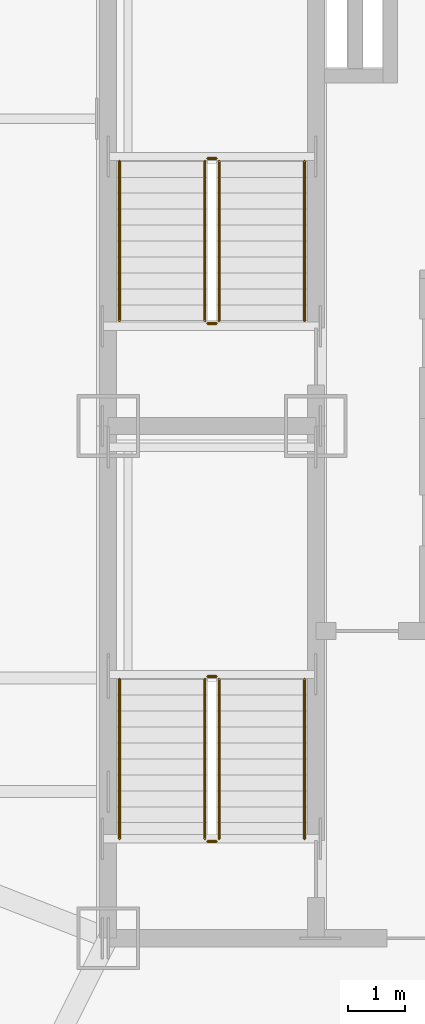
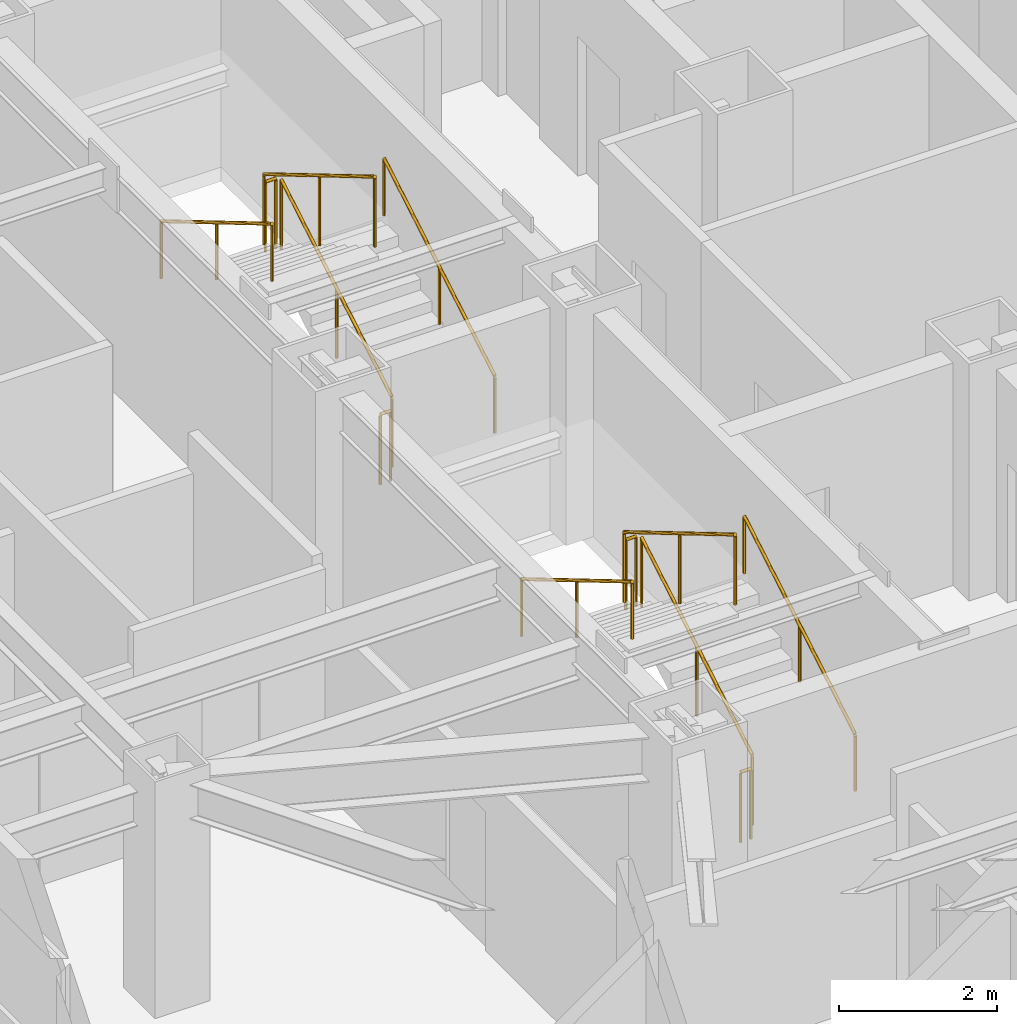
# One storey, part 9 of 9: 12 railings.
"""IFC4 building model written with IfcOpenShell, lengths in metres."""

from ifc_helpers import new_model, si_unit, direction, frame, origin, origin_2d, place, context, subcontext, project, spatial, circle, extrude, material, type_object, element, save


model = new_model("IFC4")

# Units and contexts
model_context = context("Model", 3, precision=1e-05, world=origin(), true_north=direction((0.0, 1.0)))
body_context = subcontext(model_context, "Body", "Model", "MODEL_VIEW")
ifc_project = project(units=[si_unit("LENGTHUNIT", "METRE"), si_unit("AREAUNIT", "SQUARE_METRE"), si_unit("VOLUMEUNIT", "CUBIC_METRE"), si_unit("PLANEANGLEUNIT", "RADIAN"), si_unit("MASSUNIT", "GRAM", prefix="KILO")], contexts=[model_context])

# Site, building, storey
site_placement = place(None, origin())
site = spatial("IfcSite", under=ifc_project, at=site_placement, CompositionType="ELEMENT")
building_placement = place(site_placement, origin())
building = spatial("IfcBuilding", under=site, at=building_placement, Name="Khamvora Tower", CompositionType="ELEMENT")
storey_placement = place(building_placement, frame((0.0, 0.0, 224.5)))
storey = spatial("IfcBuildingStorey", under=building, at=storey_placement, Name="L57", CompositionType="ELEMENT", Elevation=224.5)

# Railings
ifc_material_1 = material(Name="Brushed Stainless Steel 316", Category="steel")
railing_type_1 = type_object("IfcRailingType", Name="RAL-HDR-920", PredefinedType="HANDRAIL", material=ifc_material_1)
railing_1_placement = place(storey_placement, frame((32.449951171875, 20.75, 0.166015625)))
element("IfcRailing", 1, at=railing_1_placement, inside=storey, type_object=railing_type_1, Name="L57 ST-01 stair handrail 1", PredefinedType="HANDRAIL", context=body_context, shape_type="SweptSolid", body=[
    extrude(circle(Radius=0.02392578125, at=origin_2d()), frame((0.0, 0.0, 0.8759765625), z_axis=(0.0, 0.860339051648, 0.50972219513), x_axis=(-1.0, 0.0, 0.0)), (0.0, 0.0, 1.0), 3.254638671875),
    extrude(circle(Radius=0.02099609375, at=origin_2d()), origin(), (0.0, 0.0, 1.0), 0.851806640625),
    extrude(circle(Radius=0.02099609375, at=origin_2d()), frame((0.0, 1.39990234375, 0.82958984375)), (0.0, 0.0, 1.0), 0.851806640625),
    extrude(circle(Radius=0.02099609375, at=origin_2d()), frame((0.0, 2.800048828125, 1.658935546875)), (0.0, 0.0, 1.0), 0.851806640625),
])
railing_2_placement = place(storey_placement, frame((29.199951171875, 23.550048828125, 1.990966796875)))
element("IfcRailing", 2, at=railing_2_placement, inside=storey, type_object=railing_type_1, Name="L57 ST-01 stair handrail 2", PredefinedType="HANDRAIL", context=body_context, shape_type="SweptSolid", body=[
    extrude(circle(Radius=0.02392578125, at=origin_2d()), frame((0.0, 0.0, 0.8759765625), z_axis=(0.0, -0.860339051648, 0.50972219513), x_axis=(1.0, 0.0, 0.0)), (0.0, 0.0, 1.0), 3.254638671875),
    extrude(circle(Radius=0.02099609375, at=origin_2d()), origin(), (0.0, 0.0, 1.0), 0.851806640625),
    extrude(circle(Radius=0.02099609375, at=origin_2d()), frame((0.0, -1.39990234375, 0.82958984375)), (0.0, 0.0, 1.0), 0.851806640625),
    extrude(circle(Radius=0.02099609375, at=origin_2d()), frame((0.0, -2.800048828125, 1.658935546875)), (0.0, 0.0, 1.0), 0.851806640625),
])
railing_3_placement = place(storey_placement, frame((32.449951171875, 29.85009765625, 0.166015625)))
element("IfcRailing", 3, at=railing_3_placement, inside=storey, type_object=railing_type_1, Name="L57 ST-02 stair handrail 1", PredefinedType="HANDRAIL", context=body_context, shape_type="SweptSolid", body=[
    extrude(circle(Radius=0.02392578125, at=origin_2d()), frame((0.0, 0.0, 0.8759765625), z_axis=(0.0, 0.860319559791, 0.509755093197), x_axis=(-1.0, 0.0, 0.0)), (0.0, 0.0, 1.0), 3.25439453125),
    extrude(circle(Radius=0.02099609375, at=origin_2d()), origin(), (0.0, 0.0, 1.0), 0.851806640625),
    extrude(circle(Radius=0.02099609375, at=origin_2d()), frame((0.0, 1.39990234375, 0.82958984375)), (0.0, 0.0, 1.0), 0.851806640625),
    extrude(circle(Radius=0.02099609375, at=origin_2d()), frame((0.0, 2.7998046875, 1.658935546875)), (0.0, 0.0, 1.0), 0.851806640625),
])
railing_4_placement = place(storey_placement, frame((29.199951171875, 32.64990234375, 1.990966796875)))
element("IfcRailing", 4, at=railing_4_placement, inside=storey, type_object=railing_type_1, Name="L57 ST-02 stair handrail 2", PredefinedType="HANDRAIL", context=body_context, shape_type="SweptSolid", body=[
    extrude(circle(Radius=0.02392578125, at=origin_2d()), frame((0.0, 0.0, 0.8759765625), z_axis=(0.0, -0.860319559791, 0.509755093197), x_axis=(1.0, 0.0, 0.0)), (0.0, 0.0, 1.0), 3.25439453125),
    extrude(circle(Radius=0.02099609375, at=origin_2d()), origin(), (0.0, 0.0, 1.0), 0.851806640625),
    extrude(circle(Radius=0.02099609375, at=origin_2d()), frame((0.0, -1.39990234375, 0.82958984375)), (0.0, 0.0, 1.0), 0.851806640625),
    extrude(circle(Radius=0.02099609375, at=origin_2d()), frame((0.0, -2.7998046875, 1.658935546875)), (0.0, 0.0, 1.0), 0.851806640625),
])
ifc_material_2 = material(Name="Stainless Steel 316", Category="steel")
railing_type_2 = type_object("IfcRailingType", Name="RAL-STG-1100", PredefinedType="GUARDRAIL", material=ifc_material_2)
railing_5_placement = place(storey_placement, frame((30.949951171875, 20.75, 0.166015625)))
element("IfcRailing", 5, at=railing_5_placement, inside=storey, type_object=railing_type_2, Name="L57 ST-01 stair guard 1", PredefinedType="GUARDRAIL", context=body_context, shape_type="SweptSolid", body=[
    extrude(circle(Radius=0.02392578125, at=origin_2d()), frame((0.0, 0.0, 1.076171875), z_axis=(0.0, 0.860339051648, 0.50972219513), x_axis=(-1.0, 0.0, 0.0)), (0.0, 0.0, 1.0), 3.254638671875),
    extrude(circle(Radius=0.02099609375, at=origin_2d()), origin(), (0.0, 0.0, 1.0), 1.052001953125),
    extrude(circle(Radius=0.02099609375, at=origin_2d()), frame((0.0, 1.39990234375, 0.82958984375)), (0.0, 0.0, 1.0), 1.052001953125),
    extrude(circle(Radius=0.02099609375, at=origin_2d()), frame((0.0, 2.800048828125, 1.658935546875)), (0.0, 0.0, 1.0), 1.052001953125),
])
railing_6_placement = place(storey_placement, frame((30.89990234375, 23.60009765625, 1.824951171875)))
element("IfcRailing", 6, at=railing_6_placement, inside=storey, type_object=railing_type_2, Name="L57 ST-01 stair guard 2", PredefinedType="GUARDRAIL", context=body_context, shape_type="SweptSolid", body=[
    extrude(circle(Radius=0.02392578125, at=origin_2d()), frame((0.0, 0.0, 1.076171875), z_axis=(-1.0, 0.0, 0.0), x_axis=(0.0, -1.0, 0.0)), (0.0, 0.0, 1.0), 0.14990234375),
    extrude(circle(Radius=0.02099609375, at=origin_2d()), origin(), (0.0, 0.0, 1.0), 1.052001953125),
    extrude(circle(Radius=0.02099609375, at=origin_2d()), frame((-0.14990234375, 0.0, 0.0)), (0.0, 0.0, 1.0), 1.052001953125),
])
railing_7_placement = place(storey_placement, frame((30.699951171875, 23.550048828125, 1.990966796875)))
element("IfcRailing", 7, at=railing_7_placement, inside=storey, type_object=railing_type_2, Name="L57 ST-01 stair guard 3", PredefinedType="GUARDRAIL", context=body_context, shape_type="SweptSolid", body=[
    extrude(circle(Radius=0.02392578125, at=origin_2d()), frame((0.0, 0.0, 1.076171875), z_axis=(0.0, -0.860339051648, 0.50972219513), x_axis=(1.0, 0.0, 0.0)), (0.0, 0.0, 1.0), 3.254638671875),
    extrude(circle(Radius=0.02099609375, at=origin_2d()), origin(), (0.0, 0.0, 1.0), 1.052001953125),
    extrude(circle(Radius=0.02099609375, at=origin_2d()), frame((0.0, -1.39990234375, 0.82958984375)), (0.0, 0.0, 1.0), 1.052001953125),
    extrude(circle(Radius=0.02099609375, at=origin_2d()), frame((0.0, -2.800048828125, 1.658935546875)), (0.0, 0.0, 1.0), 1.052001953125),
])
railing_8_placement = place(storey_placement, frame((30.89990234375, 20.699951171875, 0.0)))
element("IfcRailing", 8, at=railing_8_placement, inside=storey, type_object=railing_type_2, Name="L57 ST-01 stair guard 4", PredefinedType="GUARDRAIL", context=body_context, shape_type="SweptSolid", body=[
    extrude(circle(Radius=0.02392578125, at=origin_2d()), frame((0.0, 0.0, 1.076171875), z_axis=(-1.0, 0.0, 0.0), x_axis=(0.0, -1.0, 0.0)), (0.0, 0.0, 1.0), 0.14990234375),
    extrude(circle(Radius=0.02099609375, at=origin_2d()), origin(), (0.0, 0.0, 1.0), 1.052001953125),
    extrude(circle(Radius=0.02099609375, at=origin_2d()), frame((-0.14990234375, 0.0, 0.0)), (0.0, 0.0, 1.0), 1.052001953125),
])
railing_9_placement = place(storey_placement, frame((30.949951171875, 29.85009765625, 0.166015625)))
element("IfcRailing", 9, at=railing_9_placement, inside=storey, type_object=railing_type_2, Name="L57 ST-02 stair guard 1", PredefinedType="GUARDRAIL", context=body_context, shape_type="SweptSolid", body=[
    extrude(circle(Radius=0.02392578125, at=origin_2d()), frame((0.0, 0.0, 1.076171875), z_axis=(0.0, 0.860319559791, 0.509755093197), x_axis=(-1.0, 0.0, 0.0)), (0.0, 0.0, 1.0), 3.25439453125),
    extrude(circle(Radius=0.02099609375, at=origin_2d()), origin(), (0.0, 0.0, 1.0), 1.052001953125),
    extrude(circle(Radius=0.02099609375, at=origin_2d()), frame((0.0, 1.39990234375, 0.82958984375)), (0.0, 0.0, 1.0), 1.052001953125),
    extrude(circle(Radius=0.02099609375, at=origin_2d()), frame((0.0, 2.7998046875, 1.658935546875)), (0.0, 0.0, 1.0), 1.052001953125),
])
railing_10_placement = place(storey_placement, frame((30.89990234375, 32.699951171875, 1.824951171875)))
element("IfcRailing", 10, at=railing_10_placement, inside=storey, type_object=railing_type_2, Name="L57 ST-02 stair guard 2", PredefinedType="GUARDRAIL", context=body_context, shape_type="SweptSolid", body=[
    extrude(circle(Radius=0.02392578125, at=origin_2d()), frame((0.0, 0.0, 1.076171875), z_axis=(-1.0, 0.0, 0.0), x_axis=(0.0, -1.0, 0.0)), (0.0, 0.0, 1.0), 0.14990234375),
    extrude(circle(Radius=0.02099609375, at=origin_2d()), origin(), (0.0, 0.0, 1.0), 1.052001953125),
    extrude(circle(Radius=0.02099609375, at=origin_2d()), frame((-0.14990234375, 0.0, 0.0)), (0.0, 0.0, 1.0), 1.052001953125),
])
railing_11_placement = place(storey_placement, frame((30.699951171875, 32.64990234375, 1.990966796875)))
element("IfcRailing", 11, at=railing_11_placement, inside=storey, type_object=railing_type_2, Name="L57 ST-02 stair guard 3", PredefinedType="GUARDRAIL", context=body_context, shape_type="SweptSolid", body=[
    extrude(circle(Radius=0.02392578125, at=origin_2d()), frame((0.0, 0.0, 1.076171875), z_axis=(0.0, -0.860319559791, 0.509755093197), x_axis=(1.0, 0.0, 0.0)), (0.0, 0.0, 1.0), 3.25439453125),
    extrude(circle(Radius=0.02099609375, at=origin_2d()), origin(), (0.0, 0.0, 1.0), 1.052001953125),
    extrude(circle(Radius=0.02099609375, at=origin_2d()), frame((0.0, -1.39990234375, 0.82958984375)), (0.0, 0.0, 1.0), 1.052001953125),
    extrude(circle(Radius=0.02099609375, at=origin_2d()), frame((0.0, -2.7998046875, 1.658935546875)), (0.0, 0.0, 1.0), 1.052001953125),
])
railing_12_placement = place(storey_placement, frame((30.89990234375, 29.800048828125, 0.0)))
element("IfcRailing", 12, at=railing_12_placement, inside=storey, type_object=railing_type_2, Name="L57 ST-02 stair guard 4", PredefinedType="GUARDRAIL", context=body_context, shape_type="SweptSolid", body=[
    extrude(circle(Radius=0.02392578125, at=origin_2d()), frame((0.0, 0.0, 1.076171875), z_axis=(-1.0, 0.0, 0.0), x_axis=(0.0, -1.0, 0.0)), (0.0, 0.0, 1.0), 0.14990234375),
    extrude(circle(Radius=0.02099609375, at=origin_2d()), origin(), (0.0, 0.0, 1.0), 1.052001953125),
    extrude(circle(Radius=0.02099609375, at=origin_2d()), frame((-0.14990234375, 0.0, 0.0)), (0.0, 0.0, 1.0), 1.052001953125),
])

save(model, "model.ifc")
